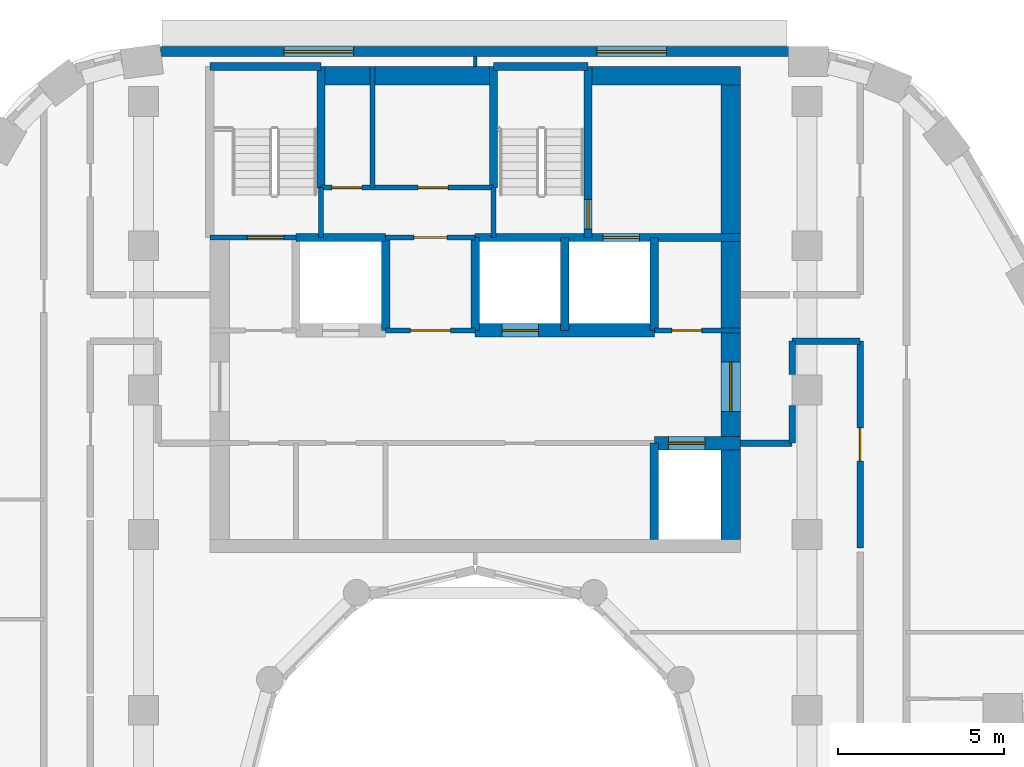
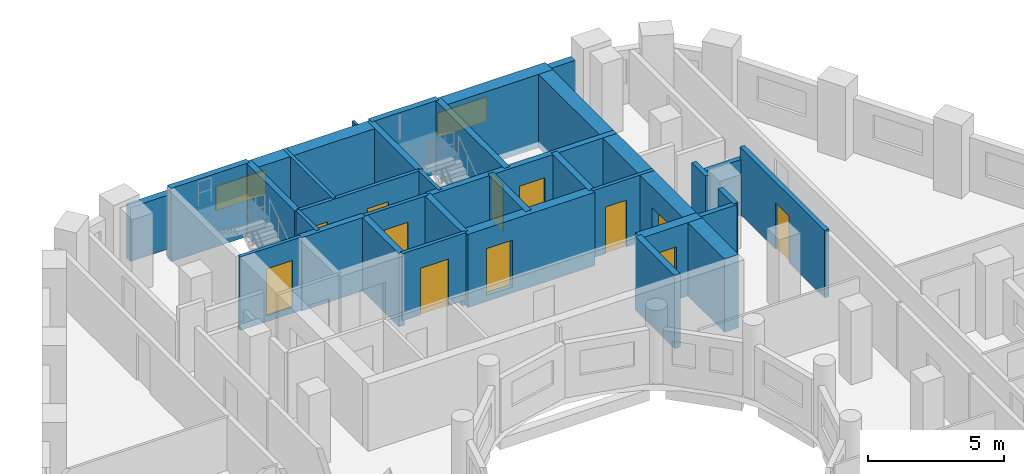
# One storey, part 8 of 15: 32 walls, 12 doors, 2 windows, 14 openings.
"""IFC4 building model written with IfcOpenShell, lengths in metres."""

from ifc_helpers import new_model, si_unit, direction, frame, frame_2d, origin, place, context, subcontext, project, spatial, rectangle, extrude, material, layer, layer_set, type_object, element, fill, save


model = new_model("IFC4")

# Units and contexts
model_context = context("Model", 3, precision=1e-05, world=origin(), true_north=direction((0.0, 1.0)))
body_context = subcontext(model_context, "Body", "Model", "MODEL_VIEW")
ifc_project = project(units=[si_unit("LENGTHUNIT", "METRE"), si_unit("AREAUNIT", "SQUARE_METRE"), si_unit("VOLUMEUNIT", "CUBIC_METRE"), si_unit("PLANEANGLEUNIT", "RADIAN"), si_unit("MASSUNIT", "GRAM", prefix="KILO")], contexts=[model_context])

# Site, building, storey
site_placement = place(None, origin())
site = spatial("IfcSite", under=ifc_project, at=site_placement, CompositionType="ELEMENT")
building_placement = place(site_placement, origin())
building = spatial("IfcBuilding", under=site, at=building_placement, Name="Nakaniwa Court", CompositionType="ELEMENT")
storey_placement = place(building_placement, frame((0.0, 0.0, 183.300048828125)))
storey = spatial("IfcBuildingStorey", under=building, at=storey_placement, Name="L47", CompositionType="ELEMENT", Elevation=183.300048828125)

# Wall, opening, door
ifc_material_1 = material(Name="Acoustic double stud partition")
ifc_layer_1 = layer(ifc_material_1, 0.199951171875)
ifc_layer_set_1 = layer_set([ifc_layer_1], Name="Acoustic double stud partition")
wall_type_1 = type_object("IfcWallType", Name="Acoustic double stud partition 200", PredefinedType="PARTITIONING", material=ifc_layer_set_1)
wall_1_placement = place(storey_placement, frame((91.60009765625, 87.537109375, 0.0), z_axis=(0.0, 0.0, 1.0), x_axis=(0.0, 1.0, 0.0)))
wall_1 = element("IfcWall", 1, at=wall_1_placement, inside=storey, type_object=wall_type_1, Name="Partition PW-072", PredefinedType="PARTITIONING", context=body_context, shape_type="SweptSolid", body=[
    extrude(rectangle(XDim=6.23779296875, YDim=0.199951171875, at=frame_2d((3.118896484375, 0.0))), origin(), (0.0, 0.0, 1.0), 3.02490234375),
])
opening_1_placement = place(wall_1_placement, frame((2.6201171875, 0.0, 0.0)))
opening_1 = element("IfcOpeningElement", 2, at=opening_1_placement, cuts=wall_1, Name="Opening D-02-08", PredefinedType="OPENING", context=body_context, shape_type="SweptSolid", body=[
    extrude(rectangle(XDim=1.0, YDim=2.10009765625, at=frame_2d((0.5, 1.050048828125))), frame((0.0, 0.10986328125, 0.0), z_axis=(0.0, -1.0, 0.0), x_axis=(1.0, 0.0, 0.0)), (0.0, 0.0, 1.0), 0.219970703125),
])
ifc_material_2 = material(Name="Solid core timber door set, black veneer", Category="wood")
door_type_1 = type_object("IfcDoorType", Name="Internal door 1000", OperationType="NOTDEFINED", PredefinedType="DOOR", material=ifc_material_2)
door_1_placement = place(opening_1_placement, origin())
door_1 = element("IfcDoor", 3, at=door_1_placement, inside=storey, type_object=door_type_1, Name="Door D-02-08 L47-048", OperationType="SINGLE_SWING_LEFT", OverallHeight=2.10009765625, OverallWidth=1.0, PredefinedType="DOOR", context=body_context, shape_type="SweptSolid", body=[
    extrude(rectangle(XDim=1.0, YDim=2.10009765625, at=frame_2d((0.5, 1.050048828125))), frame((0.0, 0.02490234375, 0.0), z_axis=(0.0, -1.0, 0.0), x_axis=(1.0, 0.0, 0.0)), (0.0, 0.0, 1.0), 0.050048828125),
])
fill(opening_1, door_1)

# Walls
wall_2_placement = place(storey_placement, frame((89.550048828125, 90.699951171875, 0.0), z_axis=(0.0, 0.0, 1.0), x_axis=(0.0, 1.0, 0.0)))
element("IfcWall", 4, at=wall_2_placement, inside=storey, type_object=wall_type_1, Name="Partition PW-083", PredefinedType="PARTITIONING", context=body_context, shape_type="SweptSolid", body=[
    extrude(rectangle(XDim=1.1328125, YDim=0.199951171875, at=frame_2d((0.56640625, 0.0))), origin(), (0.0, 0.0, 1.0), 3.02490234375),
])
wall_3_placement = place(storey_placement, frame((89.550048828125, 92.76708984375, 0.0), z_axis=(0.0, 0.0, 1.0), x_axis=(0.0, 1.0, 0.0)))
element("IfcWall", 5, at=wall_3_placement, inside=storey, type_object=wall_type_1, Name="Partition PW-084", PredefinedType="PARTITIONING", context=body_context, shape_type="SweptSolid", body=[
    extrude(rectangle(XDim=1.0078125, YDim=0.199951171875, at=frame_2d((0.50390625, 0.0))), origin(), (0.0, 0.0, 1.0), 3.02490234375),
])
wall_4_placement = place(storey_placement, frame((89.550048828125, 93.77490234375, 0.0), z_axis=(0.0, 0.0, 1.0), x_axis=(1.0, 0.0, 0.0)))
element("IfcWall", 6, at=wall_4_placement, inside=storey, type_object=wall_type_1, Name="Partition PW-088", PredefinedType="PARTITIONING", context=body_context, shape_type="SweptSolid", body=[
    extrude(rectangle(XDim=2.050048828125, YDim=0.199951171875, at=frame_2d((1.02490234375, 0.0))), origin(), (0.0, 0.0, 1.0), 2.5048828125),
])
wall_5_placement = place(storey_placement, frame((88.0, 90.699951171875, 0.0), z_axis=(0.0, 0.0, 1.0), x_axis=(1.0, 0.0, 0.0)))
element("IfcWall", 7, at=wall_5_placement, inside=storey, type_object=wall_type_1, Name="Partition PW-090", PredefinedType="PARTITIONING", context=body_context, shape_type="SweptSolid", body=[
    extrude(rectangle(XDim=1.550048828125, YDim=0.199951171875, at=frame_2d((0.77490234375, 0.0))), origin(), (0.0, 0.0, 1.0), 3.02490234375),
])

# Wall, openings, windows
ifc_material_3 = material(Name="Charcoal ceramic cladding")
ifc_layer_2 = layer(ifc_material_3, 0.02, Name="Ceramic cladding")
ifc_material_4 = material(Name="Ventilated air cavity")
ifc_layer_3 = layer(ifc_material_4, 0.04, ventilated=True, Name="Ventilated cavity")
ifc_material_5 = material(Name="Mineral wool insulation")
ifc_layer_4 = layer(ifc_material_5, 0.1, Name="Insulation")
ifc_material_6 = material(Name="Cement bonded sheathing board")
ifc_layer_5 = layer(ifc_material_6, 0.012, Name="Sheathing")
ifc_material_7 = material(Name="Cold-formed galvanised stud frame with mineral wool infill")
ifc_layer_6 = layer(ifc_material_7, 0.1, Name="Stud frame")
ifc_material_8 = material(Name="Fire-rated gypsum plasterboard lining")
ifc_layer_7 = layer(ifc_material_8, 0.028, Name="Lining")
ifc_layer_set_2 = layer_set([ifc_layer_2, ifc_layer_3, ifc_layer_4, ifc_layer_5, ifc_layer_6, ifc_layer_7], Name="Charcoal ceramic faced external wall system")
wall_type_2 = type_object("IfcWallType", Name="Black ceramic faced external wall 300", PredefinedType="SOLIDWALL", material=ifc_layer_set_2)
wall_6_placement = place(storey_placement, frame((89.44921875, 102.5, 0.0), z_axis=(0.0, 0.0, 1.0), x_axis=(-1.0, 0.0, 0.0)))
wall_6 = element("IfcWall", 8, at=wall_6_placement, inside=storey, type_object=wall_type_2, Name="L47 external wall 08", PredefinedType="SOLIDWALL", context=body_context, shape_type="SweptSolid", body=[
    extrude(rectangle(XDim=18.932861328125, YDim=0.300048828125, at=frame_2d((9.46630859375, 0.0))), origin(), (0.0, 0.0, 1.0), 2.425048828125),
])
opening_2_placement = place(wall_6_placement, frame((3.6865234375, 0.0, 0.89990234375)))
opening_2 = element("IfcOpeningElement", 9, at=opening_2_placement, cuts=wall_6, Name="Opening W7.08", PredefinedType="OPENING", context=body_context, shape_type="SweptSolid", body=[
    extrude(rectangle(XDim=2.10009765625, YDim=1.10009765625, at=frame_2d((1.050048828125, 0.550048828125))), frame((0.0, 0.159912109375, 0.0), z_axis=(0.0, -1.0, 0.0), x_axis=(1.0, 0.0, 0.0)), (0.0, 0.0, 1.0), 0.320068359375),
])
opening_3_placement = place(wall_6_placement, frame((13.117919921875, 0.0, 0.89990234375)))
opening_3 = element("IfcOpeningElement", 10, at=opening_3_placement, cuts=wall_6, Name="Opening W7.09", PredefinedType="OPENING", context=body_context, shape_type="SweptSolid", body=[
    extrude(rectangle(XDim=2.10009765625, YDim=1.10009765625, at=frame_2d((1.050048828125, 0.550048828125))), frame((0.0, 0.159912109375, 0.0), z_axis=(0.0, -1.0, 0.0), x_axis=(1.0, 0.0, 0.0)), (0.0, 0.0, 1.0), 0.320068359375),
])
ifc_material_9 = material(Name="Black anodised aluminium frame with dark low-E laminated double glazing", Category="aluminium")
window_type = type_object("IfcWindowType", Name="Dark glass window 2100x1100 sill 900", PartitioningType="SINGLE_PANEL", PredefinedType="WINDOW", material=ifc_material_9)
window_1_placement = place(opening_2_placement, origin())
window_1 = element("IfcWindow", 11, at=window_1_placement, inside=storey, type_object=window_type, Name="L47 habitable room window 08-0", OverallHeight=1.10009765625, OverallWidth=2.10009765625, PartitioningType="SINGLE_PANEL", PredefinedType="WINDOW", context=body_context, shape_type="SweptSolid", body=[
    extrude(rectangle(XDim=2.10009765625, YDim=1.10009765625, at=frame_2d((1.050048828125, 0.550048828125))), frame((0.0, 0.030029296875, 0.0), z_axis=(0.0, -1.0, 0.0), x_axis=(1.0, 0.0, 0.0)), (0.0, 0.0, 1.0), 0.06005859375),
])
fill(opening_2, window_1)
window_2_placement = place(opening_3_placement, origin())
window_2 = element("IfcWindow", 12, at=window_2_placement, inside=storey, type_object=window_type, Name="L47 habitable room window 08-1", OverallHeight=1.10009765625, OverallWidth=2.10009765625, PartitioningType="SINGLE_PANEL", PredefinedType="WINDOW", context=body_context, shape_type="SweptSolid", body=[
    extrude(rectangle(XDim=2.10009765625, YDim=1.10009765625, at=frame_2d((1.050048828125, 0.550048828125))), frame((0.0, 0.030029296875, 0.0), z_axis=(0.0, -1.0, 0.0), x_axis=(1.0, 0.0, 0.0)), (0.0, 0.0, 1.0), 0.06005859375),
])
fill(opening_3, window_2)

# Wall, opening, door
ifc_material_10 = material(Name="Blockwork partition", Category="masonry")
ifc_layer_8 = layer(ifc_material_10, 0.14990234375)
ifc_layer_set_3 = layer_set([ifc_layer_8], Name="Blockwork partition")
wall_type_3 = type_object("IfcWallType", Name="Blockwork partition 150", PredefinedType="PARTITIONING", material=ifc_layer_set_3)
wall_7_placement = place(storey_placement, frame((77.297119140625, 94.10009765625, 0.0), z_axis=(0.0, 0.0, 1.0), x_axis=(1.0, 0.0, 0.0)))
wall_7 = element("IfcWall", 13, at=wall_7_placement, inside=storey, type_object=wall_type_3, Name="Partition PW-010", PredefinedType="PARTITIONING", context=body_context, shape_type="SweptSolid", body=[
    extrude(rectangle(XDim=2.705810546875, YDim=0.14990234375, at=frame_2d((1.35302734375, 0.0))), origin(), (0.0, 0.0, 1.0), 3.02490234375),
])
opening_4_placement = place(wall_7_placement, frame((0.7529296875, 0.0, 0.0)))
opening_4 = element("IfcOpeningElement", 14, at=opening_4_placement, cuts=wall_7, Name="Opening D-06-01", PredefinedType="OPENING", context=body_context, shape_type="SweptSolid", body=[
    extrude(rectangle(XDim=1.199951171875, YDim=2.10009765625, at=frame_2d((0.60009765625, 1.050048828125))), frame((0.0, 0.0849609375, 0.0), z_axis=(0.0, -1.0, 0.0), x_axis=(1.0, 0.0, 0.0)), (0.0, 0.0, 1.0), 0.169921875),
])
ifc_material_11 = material(Name="Fire rated steel double door set", Category="steel")
door_type_2 = type_object("IfcDoorType", Name="Service passage double door 1200", OperationType="NOTDEFINED", PredefinedType="DOOR", material=ifc_material_11)
door_2_placement = place(opening_4_placement, origin())
door_2 = element("IfcDoor", 15, at=door_2_placement, inside=storey, type_object=door_type_2, Name="Door D-06-01 L47-005", OperationType="DOUBLE_DOOR_SINGLE_SWING", OverallHeight=2.10009765625, OverallWidth=1.199951171875, PredefinedType="DOOR", context=body_context, shape_type="SweptSolid", body=[
    extrude(rectangle(XDim=1.199951171875, YDim=2.10009765625, at=frame_2d((0.60009765625, 1.050048828125))), frame((0.0, 0.02490234375, 0.0), z_axis=(0.0, -1.0, 0.0), x_axis=(1.0, 0.0, 0.0)), (0.0, 0.0, 1.0), 0.050048828125),
])
fill(opening_4, door_2)

wall_8_placement = place(storey_placement, frame((85.39697265625, 94.10009765625, 0.0), z_axis=(0.0, 0.0, 1.0), x_axis=(1.0, 0.0, 0.0)))
wall_8 = element("IfcWall", 16, at=wall_8_placement, inside=storey, type_object=wall_type_3, Name="Partition PW-011", PredefinedType="PARTITIONING", context=body_context, shape_type="SweptSolid", body=[
    extrude(rectangle(XDim=2.60302734375, YDim=0.14990234375, at=frame_2d((1.301513671875, 0.0))), origin(), (0.0, 0.0, 1.0), 3.02490234375),
])
opening_5_placement = place(wall_8_placement, frame((0.528076171875, 0.0, 0.0)))
opening_5 = element("IfcOpeningElement", 17, at=opening_5_placement, cuts=wall_8, Name="Opening D-05-04", PredefinedType="OPENING", context=body_context, shape_type="SweptSolid", body=[
    extrude(rectangle(XDim=0.89990234375, YDim=2.10009765625, at=frame_2d((0.449951171875, 1.050048828125))), frame((0.0, 0.0849609375, 0.0), z_axis=(0.0, -1.0, 0.0), x_axis=(1.0, 0.0, 0.0)), (0.0, 0.0, 1.0), 0.169921875),
])
ifc_material_12 = material(Name="Fire rated steel door set", Category="steel")
door_type_3 = type_object("IfcDoorType", Name="Service room door 900", OperationType="NOTDEFINED", PredefinedType="DOOR", material=ifc_material_12)
door_3_placement = place(opening_5_placement, origin())
door_3 = element("IfcDoor", 18, at=door_3_placement, inside=storey, type_object=door_type_3, Name="Door D-05-04 L47-006", OperationType="SINGLE_SWING_LEFT", OverallHeight=2.10009765625, OverallWidth=0.89990234375, PredefinedType="DOOR", context=body_context, shape_type="SweptSolid", body=[
    extrude(rectangle(XDim=0.89990234375, YDim=2.10009765625, at=frame_2d((0.449951171875, 1.050048828125))), frame((0.0, 0.02490234375, 0.0), z_axis=(0.0, -1.0, 0.0), x_axis=(1.0, 0.0, 0.0)), (0.0, 0.0, 1.0), 0.050048828125),
])
fill(opening_5, door_3)

wall_9_placement = place(storey_placement, frame((77.300048828125, 96.89990234375, 0.0), z_axis=(0.0, 0.0, 1.0), x_axis=(1.0, 0.0, 0.0)))
wall_9 = element("IfcWall", 19, at=wall_9_placement, inside=storey, type_object=wall_type_3, Name="Partition PW-020", PredefinedType="PARTITIONING", context=body_context, shape_type="SweptSolid", body=[
    extrude(rectangle(XDim=2.699951171875, YDim=0.14990234375, at=frame_2d((1.35009765625, 0.0))), origin(), (0.0, 0.0, 1.0), 3.02490234375),
])
opening_6_placement = place(wall_9_placement, frame((0.85009765625, 0.0, 0.0)))
opening_6 = element("IfcOpeningElement", 20, at=opening_6_placement, cuts=wall_9, Name="Opening D-23-01", PredefinedType="OPENING", context=body_context, shape_type="SweptSolid", body=[
    extrude(rectangle(XDim=1.0, YDim=2.10009765625, at=frame_2d((0.5, 1.050048828125))), frame((0.0, 0.0849609375, 0.0), z_axis=(0.0, -1.0, 0.0), x_axis=(1.0, 0.0, 0.0)), (0.0, 0.0, 1.0), 0.169921875),
])
door_type_4 = type_object("IfcDoorType", Name="Service room door 1000", OperationType="NOTDEFINED", PredefinedType="DOOR", material=ifc_material_12)
door_4_placement = place(opening_6_placement, origin())
door_4 = element("IfcDoor", 21, at=door_4_placement, inside=storey, type_object=door_type_4, Name="Door D-23-01 L47-007", OperationType="SINGLE_SWING_RIGHT", OverallHeight=2.10009765625, OverallWidth=1.0, PredefinedType="DOOR", context=body_context, shape_type="SweptSolid", body=[
    extrude(rectangle(XDim=1.0, YDim=2.10009765625, at=frame_2d((0.5, 1.050048828125))), frame((0.0, 0.02490234375, 0.0), z_axis=(0.0, -1.0, 0.0), x_axis=(1.0, 0.0, 0.0)), (0.0, 0.0, 1.0), 0.050048828125),
])
fill(opening_6, door_4)

# Wall, openings, doors
wall_10_placement = place(storey_placement, frame((75.35009765625, 98.39990234375, 0.0), z_axis=(0.0, 0.0, 1.0), x_axis=(1.0, 0.0, 0.0)))
wall_10 = element("IfcWall", 22, at=wall_10_placement, inside=storey, type_object=wall_type_3, Name="Partition PW-032", PredefinedType="PARTITIONING", context=body_context, shape_type="SweptSolid", body=[
    extrude(rectangle(XDim=5.199951171875, YDim=0.14990234375, at=frame_2d((2.60009765625, 0.0))), origin(), (0.0, 0.0, 1.0), 3.02490234375),
])
opening_7_placement = place(wall_10_placement, frame((0.330078125, 0.0, 0.0)))
opening_7 = element("IfcOpeningElement", 23, at=opening_7_placement, cuts=wall_10, Name="Opening D-05-05", PredefinedType="OPENING", context=body_context, shape_type="SweptSolid", body=[
    extrude(rectangle(XDim=0.89990234375, YDim=2.10009765625, at=frame_2d((0.449951171875, 1.050048828125))), frame((0.0, 0.0849609375, 0.0), z_axis=(0.0, -1.0, 0.0), x_axis=(1.0, 0.0, 0.0)), (0.0, 0.0, 1.0), 0.169921875),
])
opening_8_placement = place(wall_10_placement, frame((2.929931640625, 0.0, 0.0)))
opening_8 = element("IfcOpeningElement", 24, at=opening_8_placement, cuts=wall_10, Name="Opening D-05-06", PredefinedType="OPENING", context=body_context, shape_type="SweptSolid", body=[
    extrude(rectangle(XDim=0.89990234375, YDim=2.10009765625, at=frame_2d((0.449951171875, 1.050048828125))), frame((0.0, 0.0849609375, 0.0), z_axis=(0.0, -1.0, 0.0), x_axis=(1.0, 0.0, 0.0)), (0.0, 0.0, 1.0), 0.169921875),
])
door_5_placement = place(opening_7_placement, origin())
door_5 = element("IfcDoor", 25, at=door_5_placement, inside=storey, type_object=door_type_3, Name="Door D-05-05 L47-008", OperationType="SINGLE_SWING_LEFT", OverallHeight=2.10009765625, OverallWidth=0.89990234375, PredefinedType="DOOR", context=body_context, shape_type="SweptSolid", body=[
    extrude(rectangle(XDim=0.89990234375, YDim=2.10009765625, at=frame_2d((0.449951171875, 1.050048828125))), frame((0.0, 0.02490234375, 0.0), z_axis=(0.0, -1.0, 0.0), x_axis=(1.0, 0.0, 0.0)), (0.0, 0.0, 1.0), 0.050048828125),
])
fill(opening_7, door_5)
door_6_placement = place(opening_8_placement, origin())
door_6 = element("IfcDoor", 26, at=door_6_placement, inside=storey, type_object=door_type_3, Name="Door D-05-06 L47-009", OperationType="SINGLE_SWING_RIGHT", OverallHeight=2.10009765625, OverallWidth=0.89990234375, PredefinedType="DOOR", context=body_context, shape_type="SweptSolid", body=[
    extrude(rectangle(XDim=0.89990234375, YDim=2.10009765625, at=frame_2d((0.449951171875, 1.050048828125))), frame((0.0, 0.02490234375, 0.0), z_axis=(0.0, -1.0, 0.0), x_axis=(1.0, 0.0, 0.0)), (0.0, 0.0, 1.0), 0.050048828125),
])
fill(opening_8, door_6)

# Wall
wall_11_placement = place(storey_placement, frame((76.909912109375, 98.39990234375, 0.0), z_axis=(0.0, 0.0, 1.0), x_axis=(0.0, 1.0, 0.0)))
element("IfcWall", 27, at=wall_11_placement, inside=storey, type_object=wall_type_3, Name="Partition PW-033", PredefinedType="PARTITIONING", context=body_context, shape_type="SweptSolid", body=[
    extrude(rectangle(XDim=3.650146484375, YDim=0.14990234375, at=frame_2d((1.8251953125, 0.0))), origin(), (0.0, 0.0, 1.0), 3.02490234375),
])

# Wall, opening, door
ifc_material_13 = material(Name="Concrete C80/100", Category="concrete")
ifc_layer_9 = layer(ifc_material_13, 0.60009765625)
ifc_layer_set_4 = layer_set([ifc_layer_9], Name="Concrete C80/100")
wall_type_4 = type_object("IfcWallType", Name="Concrete core side wall 600 C80", PredefinedType="SHEAR", material=ifc_layer_set_4)
wall_12_placement = place(storey_placement, frame((87.699951171875, 102.050048828125, -0.275146484375), z_axis=(0.0, 0.0, 1.0), x_axis=(0.0, -1.0, 0.0)))
wall_12 = element("IfcWall", 28, at=wall_12_placement, inside=storey, type_object=wall_type_4, Name="Core wall SW-07", PredefinedType="SHEAR", context=body_context, shape_type="SweptSolid", body=[
    extrude(rectangle(XDim=14.25, YDim=0.60009765625, at=frame_2d((7.125, 0.0))), origin(), (0.0, 0.0, 1.0), 3.300048828125),
])
opening_9_placement = place(wall_12_placement, frame((8.89794921875, 0.0, 0.27490234375)))
opening_9 = element("IfcOpeningElement", 29, at=opening_9_placement, cuts=wall_12, Name="Opening D-07-01", PredefinedType="OPENING", context=body_context, shape_type="SweptSolid", body=[
    extrude(rectangle(XDim=1.5, YDim=2.10009765625, at=frame_2d((0.75, 1.050048828125))), frame((0.0, 0.31005859375, 0.0), z_axis=(0.0, -1.0, 0.0), x_axis=(1.0, 0.0, 0.0)), (0.0, 0.0, 1.0), 0.6201171875),
])
ifc_material_14 = material(Name="Glazed fire rated steel double door set", Category="steel")
door_type_5 = type_object("IfcDoorType", Name="Lobby double door 1500", OperationType="NOTDEFINED", PredefinedType="DOOR", material=ifc_material_14)
door_7_placement = place(opening_9_placement, origin())
door_7 = element("IfcDoor", 30, at=door_7_placement, inside=storey, type_object=door_type_5, Name="Door D-07-01 L47-052", OperationType="DOUBLE_DOOR_SINGLE_SWING", OverallHeight=2.10009765625, OverallWidth=1.5, PredefinedType="DOOR", context=body_context, shape_type="SweptSolid", body=[
    extrude(rectangle(XDim=1.5, YDim=2.10009765625, at=frame_2d((0.75, 1.050048828125))), frame((0.0, 0.02490234375, 0.0), z_axis=(0.0, -1.0, 0.0), x_axis=(1.0, 0.0, 0.0)), (0.0, 0.0, 1.0), 0.050048828125),
])
fill(opening_9, door_7)

ifc_layer_10 = layer(ifc_material_13, 0.39990234375)
ifc_layer_set_5 = layer_set([ifc_layer_10], Name="Concrete C80/100")
wall_type_5 = type_object("IfcWallType", Name="Concrete core spine wall 400 C80", PredefinedType="SHEAR", material=ifc_layer_set_5)
wall_13_placement = place(storey_placement, frame((85.39990234375, 90.699951171875, -0.275146484375), z_axis=(0.0, 0.0, 1.0), x_axis=(1.0, 0.0, 0.0)))
wall_13 = element("IfcWall", 31, at=wall_13_placement, inside=storey, type_object=wall_type_5, Name="Core wall SW-06", PredefinedType="SHEAR", context=body_context, shape_type="SweptSolid", body=[
    extrude(rectangle(XDim=2.60009765625, YDim=0.39990234375, at=frame_2d((1.300048828125, 0.0))), origin(), (0.0, 0.0, 1.0), 3.300048828125),
])
opening_10_placement = place(wall_13_placement, frame((0.425048828125, 0.0, 0.27490234375)))
opening_10 = element("IfcOpeningElement", 32, at=opening_10_placement, cuts=wall_13, Name="Opening LD01", PredefinedType="OPENING", context=body_context, shape_type="SweptSolid", body=[
    extrude(rectangle(XDim=1.10009765625, YDim=2.10009765625, at=frame_2d((0.550048828125, 1.050048828125))), frame((0.0, 0.2099609375, 0.0), z_axis=(0.0, -1.0, 0.0), x_axis=(1.0, 0.0, 0.0)), (0.0, 0.0, 1.0), 0.419921875),
])
ifc_material_15 = material(Name="Stainless steel sliding lift landing door", Category="steel")
door_type_6 = type_object("IfcDoorType", Name="Lift landing door 1100", OperationType="NOTDEFINED", PredefinedType="DOOR", material=ifc_material_15)
door_8_placement = place(opening_10_placement, origin())
door_8 = element("IfcDoor", 33, at=door_8_placement, inside=storey, type_object=door_type_6, Name="Lift landing door LD01 L47-001", OperationType="SLIDING_TO_LEFT", OverallHeight=2.10009765625, OverallWidth=1.10009765625, PredefinedType="DOOR", context=body_context, shape_type="SweptSolid", body=[
    extrude(rectangle(XDim=1.10009765625, YDim=2.10009765625, at=frame_2d((0.550048828125, 1.050048828125))), frame((0.0, 0.02490234375, 0.0), z_axis=(0.0, -1.0, 0.0), x_axis=(1.0, 0.0, 0.0)), (0.0, 0.0, 1.0), 0.050048828125),
])
fill(opening_10, door_8)

wall_14_placement = place(storey_placement, frame((79.9970703125, 94.10009765625, -0.275146484375), z_axis=(0.0, 0.0, 1.0), x_axis=(1.0, 0.0, 0.0)))
wall_14 = element("IfcWall", 34, at=wall_14_placement, inside=storey, type_object=wall_type_5, Name="Core wall SW-13", PredefinedType="SHEAR", context=body_context, shape_type="SweptSolid", body=[
    extrude(rectangle(XDim=5.406005859375, YDim=0.39990234375, at=frame_2d((2.703125, 0.0))), origin(), (0.0, 0.0, 1.0), 3.300048828125),
])
opening_11_placement = place(wall_14_placement, frame((0.802978515625, 0.0, 0.27490234375)))
opening_11 = element("IfcOpeningElement", 35, at=opening_11_placement, cuts=wall_14, Name="Opening LD03", PredefinedType="OPENING", context=body_context, shape_type="SweptSolid", body=[
    extrude(rectangle(XDim=1.10009765625, YDim=2.10009765625, at=frame_2d((0.550048828125, 1.050048828125))), frame((0.0, 0.2099609375, 0.0), z_axis=(0.0, -1.0, 0.0), x_axis=(1.0, 0.0, 0.0)), (0.0, 0.0, 1.0), 0.419921875),
])
door_9_placement = place(opening_11_placement, origin())
door_9 = element("IfcDoor", 36, at=door_9_placement, inside=storey, type_object=door_type_6, Name="Lift landing door LD03 L47-003", OperationType="SLIDING_TO_LEFT", OverallHeight=2.10009765625, OverallWidth=1.10009765625, PredefinedType="DOOR", context=body_context, shape_type="SweptSolid", body=[
    extrude(rectangle(XDim=1.10009765625, YDim=2.10009765625, at=frame_2d((0.550048828125, 1.050048828125))), frame((0.0, 0.02490234375, 0.0), z_axis=(0.0, -1.0, 0.0), x_axis=(1.0, 0.0, 0.0)), (0.0, 0.0, 1.0), 0.050048828125),
])
fill(opening_11, door_9)

ifc_layer_11 = layer(ifc_material_13, 0.14990234375)
ifc_layer_set_6 = layer_set([ifc_layer_11], Name="Concrete C80/100")
wall_type_6 = type_object("IfcWallType", Name="Concrete core wall 150 C80", PredefinedType="SHEAR", material=ifc_layer_set_6)
wall_15_placement = place(storey_placement, frame((74.60009765625, 96.89990234375, -0.275146484375), z_axis=(0.0, 0.0, 1.0), x_axis=(-1.0, 0.0, 0.0)))
wall_15 = element("IfcWall", 37, at=wall_15_placement, inside=storey, type_object=wall_type_6, Name="Core wall SW-15", PredefinedType="SHEAR", context=body_context, shape_type="SweptSolid", body=[
    extrude(rectangle(XDim=2.60009765625, YDim=0.14990234375, at=frame_2d((1.300048828125, 0.0))), origin(), (0.0, 0.0, 1.0), 3.300048828125),
])
opening_12_placement = place(wall_15_placement, frame((0.3701171875, 0.0, 0.27490234375)))
opening_12 = element("IfcOpeningElement", 38, at=opening_12_placement, cuts=wall_15, Name="Opening D-09-01", PredefinedType="OPENING", context=body_context, shape_type="SweptSolid", body=[
    extrude(rectangle(XDim=1.10009765625, YDim=2.10009765625, at=frame_2d((0.550048828125, 1.050048828125))), frame((0.0, 0.0849609375, 0.0), z_axis=(0.0, -1.0, 0.0), x_axis=(1.0, 0.0, 0.0)), (0.0, 0.0, 1.0), 0.169921875),
])
door_type_7 = type_object("IfcDoorType", Name="Stair door 1100", OperationType="NOTDEFINED", PredefinedType="DOOR", material=ifc_material_12)
door_10_placement = place(opening_12_placement, origin())
door_10 = element("IfcDoor", 39, at=door_10_placement, inside=storey, type_object=door_type_7, Name="Door D-09-01 L47-010", OperationType="SINGLE_SWING_RIGHT", OverallHeight=2.10009765625, OverallWidth=1.10009765625, PredefinedType="DOOR", context=body_context, shape_type="SweptSolid", body=[
    extrude(rectangle(XDim=1.10009765625, YDim=2.10009765625, at=frame_2d((0.550048828125, 1.050048828125))), frame((0.0, 0.02490234375, 0.0), z_axis=(0.0, -1.0, 0.0), x_axis=(1.0, 0.0, 0.0)), (0.0, 0.0, 1.0), 0.050048828125),
])
fill(opening_12, door_10)

# Walls
for number, where, z_axis, x_axis, name in (
    (40, (75.35009765625, 96.89990234375, -0.275146484375), (0.0, 0.0, 1.0), (0.0, 1.0, 0.0), "Core wall SW-22"),
    (41, (80.550048828125, 96.89990234375, -0.275146484375), (0.0, 0.0, 1.0), (0.0, 1.0, 0.0), "Core wall SW-28"),
):
    element("IfcWall", number, at=place(storey_placement, frame(where, z_axis=z_axis, x_axis=x_axis)), inside=storey, type_object=wall_type_6, Name=name, PredefinedType="SHEAR", context=body_context, shape_type="SweptSolid", body=[
        extrude(rectangle(XDim=1.503173828125, YDim=0.14990234375, at=frame_2d((0.75146484375, 0.0))), origin(), (0.0, 0.0, 1.0), 3.300048828125),
    ])
ifc_layer_12 = layer(ifc_material_13, 0.25)
ifc_layer_set_7 = layer_set([ifc_layer_12], Name="Concrete C80/100")
wall_type_7 = type_object("IfcWallType", Name="Concrete core wall 250 C80", PredefinedType="SHEAR", material=ifc_layer_set_7)
wall_16_placement = place(storey_placement, frame((72.0, 102.050048828125, -0.275146484375), z_axis=(0.0, 0.0, 1.0), x_axis=(1.0, 0.0, 0.0)))
element("IfcWall", 42, at=wall_16_placement, inside=storey, type_object=wall_type_7, Name="Core wall SW-24", PredefinedType="SHEAR", context=body_context, shape_type="SweptSolid", body=[
    extrude(rectangle(XDim=3.35009765625, YDim=0.25, at=frame_2d((1.675048828125, 0.0))), origin(), (0.0, 0.0, 1.0), 3.300048828125),
])
wall_17_placement = place(storey_placement, frame((80.550048828125, 102.050048828125, -0.275146484375), z_axis=(0.0, 0.0, 1.0), x_axis=(1.0, 0.0, 0.0)))
element("IfcWall", 43, at=wall_17_placement, inside=storey, type_object=wall_type_7, Name="Core wall SW-25", PredefinedType="SHEAR", context=body_context, shape_type="SweptSolid", body=[
    extrude(rectangle(XDim=2.849853515625, YDim=0.25, at=frame_2d((1.4248046875, 0.0))), origin(), (0.0, 0.0, 1.0), 3.300048828125),
])
ifc_layer_13 = layer(ifc_material_13, 0.550048828125)
ifc_layer_set_8 = layer_set([ifc_layer_13], Name="Concrete C80/100")
wall_type_8 = type_object("IfcWallType", Name="Concrete core wall 550 C80", PredefinedType="SHEAR", material=ifc_layer_set_8)
wall_18_placement = place(storey_placement, frame((75.35009765625, 101.77490234375, -0.275146484375), z_axis=(0.0, 0.0, 1.0), x_axis=(1.0, 0.0, 0.0)))
element("IfcWall", 44, at=wall_18_placement, inside=storey, type_object=wall_type_8, Name="Core wall SW-30", PredefinedType="SHEAR", context=body_context, shape_type="SweptSolid", body=[
    extrude(rectangle(XDim=5.199951171875, YDim=0.550048828125, at=frame_2d((2.60009765625, 0.0))), origin(), (0.0, 0.0, 1.0), 3.300048828125),
])
wall_19_placement = place(storey_placement, frame((83.39990234375, 101.77490234375, -0.275146484375), z_axis=(0.0, 0.0, 1.0), x_axis=(1.0, 0.0, 0.0)))
element("IfcWall", 45, at=wall_19_placement, inside=storey, type_object=wall_type_8, Name="Core wall SW-31", PredefinedType="SHEAR", context=body_context, shape_type="SweptSolid", body=[
    extrude(rectangle(XDim=4.60009765625, YDim=0.550048828125, at=frame_2d((2.300048828125, 0.0))), origin(), (0.0, 0.0, 1.0), 3.300048828125),
])
ifc_layer_14 = layer(ifc_material_13, 0.25)
ifc_layer_set_9 = layer_set([ifc_layer_14], Name="Concrete C80/100")
wall_type_9 = type_object("IfcWallType", Name="Concrete shaft wall 250 C80", PredefinedType="SHEAR", material=ifc_layer_set_9)
wall_20_placement = place(storey_placement, frame((85.39990234375, 87.800048828125, -0.275146484375), z_axis=(0.0, 0.0, 1.0), x_axis=(0.0, 1.0, 0.0)))
element("IfcWall", 46, at=wall_20_placement, inside=storey, type_object=wall_type_9, Name="Core wall SW-04", PredefinedType="SHEAR", context=body_context, shape_type="SweptSolid", body=[
    extrude(rectangle(XDim=2.89990234375, YDim=0.25, at=frame_2d((1.449951171875, 0.0))), origin(), (0.0, 0.0, 1.0), 3.300048828125),
])
for number, where, z_axis, x_axis, name in (
    (47, (85.39990234375, 94.10009765625, -0.275146484375), (0.0, 0.0, 1.0), (0.0, 1.0, 0.0), "Core wall SW-05"),
    (48, (77.300048828125, 94.10009765625, -0.275146484375), (0.0, 0.0, 1.0), (0.0, 1.0, 0.0), "Core wall SW-16"),
):
    element("IfcWall", number, at=place(storey_placement, frame(where, z_axis=z_axis, x_axis=x_axis)), inside=storey, type_object=wall_type_9, Name=name, PredefinedType="SHEAR", context=body_context, shape_type="SweptSolid", body=[
        extrude(rectangle(XDim=2.7998046875, YDim=0.25, at=frame_2d((1.39990234375, 0.0))), origin(), (0.0, 0.0, 1.0), 3.300048828125),
    ])
wall_21_placement = place(storey_placement, frame((74.60009765625, 96.89990234375, -0.275146484375), z_axis=(0.0, 0.0, 1.0), x_axis=(1.0, 0.0, 0.0)))
element("IfcWall", 49, at=wall_21_placement, inside=storey, type_object=wall_type_9, Name="Core wall SW-17", PredefinedType="SHEAR", context=body_context, shape_type="SweptSolid", body=[
    extrude(rectangle(XDim=2.699951171875, YDim=0.25, at=frame_2d((1.35009765625, 0.0))), origin(), (0.0, 0.0, 1.0), 3.300048828125),
])

# Wall, opening, door
wall_22_placement = place(storey_placement, frame((80.0, 96.89990234375, -0.275146484375), z_axis=(0.0, 0.0, 1.0), x_axis=(1.0, 0.0, 0.0)))
wall_22 = element("IfcWall", 50, at=wall_22_placement, inside=storey, type_object=wall_type_9, Name="Core wall SW-18", PredefinedType="SHEAR", context=body_context, shape_type="SweptSolid", body=[
    extrude(rectangle(XDim=8.0, YDim=0.25, at=frame_2d((4.0, 0.0))), origin(), (0.0, 0.0, 1.0), 3.300048828125),
])
opening_13_placement = place(wall_22_placement, frame((3.84912109375, 0.0, 0.27490234375)))
opening_13 = element("IfcOpeningElement", 51, at=opening_13_placement, cuts=wall_22, Name="Opening LD04", PredefinedType="OPENING", context=body_context, shape_type="SweptSolid", body=[
    extrude(rectangle(XDim=1.10009765625, YDim=2.10009765625, at=frame_2d((0.550048828125, 1.050048828125))), frame((0.0, 0.135009765625, 0.0), z_axis=(0.0, -1.0, 0.0), x_axis=(1.0, 0.0, 0.0)), (0.0, 0.0, 1.0), 0.27001953125),
])
door_11_placement = place(opening_13_placement, origin())
door_11 = element("IfcDoor", 52, at=door_11_placement, inside=storey, type_object=door_type_6, Name="Lift landing door LD04 L47-004", OperationType="SLIDING_TO_LEFT", OverallHeight=2.10009765625, OverallWidth=1.10009765625, PredefinedType="DOOR", context=body_context, shape_type="SweptSolid", body=[
    extrude(rectangle(XDim=1.10009765625, YDim=2.10009765625, at=frame_2d((0.550048828125, 1.050048828125))), frame((0.0, 0.02490234375, 0.0), z_axis=(0.0, -1.0, 0.0), x_axis=(1.0, 0.0, 0.0)), (0.0, 0.0, 1.0), 0.050048828125),
])
fill(opening_13, door_11)

# Walls
for number, where, z_axis, x_axis, name in (
    (53, (80.0, 94.10009765625, -0.275146484375), (0.0, 0.0, 1.0), (0.0, 1.0, 0.0), "Core wall SW-19"),
    (54, (82.699951171875, 94.10009765625, -0.275146484375), (0.0, 0.0, 1.0), (0.0, 1.0, 0.0), "Core wall SW-21"),
):
    element("IfcWall", number, at=place(storey_placement, frame(where, z_axis=z_axis, x_axis=x_axis)), inside=storey, type_object=wall_type_9, Name=name, PredefinedType="SHEAR", context=body_context, shape_type="SweptSolid", body=[
        extrude(rectangle(XDim=2.7998046875, YDim=0.25, at=frame_2d((1.39990234375, 0.0))), origin(), (0.0, 0.0, 1.0), 3.300048828125),
    ])
wall_23_placement = place(storey_placement, frame((75.35009765625, 98.39697265625, -0.275146484375), z_axis=(0.0, 0.0, 1.0), x_axis=(0.0, 1.0, 0.0)))
element("IfcWall", 55, at=wall_23_placement, inside=storey, type_object=wall_type_9, Name="Core wall SW-23", PredefinedType="SHEAR", context=body_context, shape_type="SweptSolid", body=[
    extrude(rectangle(XDim=3.653076171875, YDim=0.25, at=frame_2d((1.82666015625, 0.0))), origin(), (0.0, 0.0, 1.0), 3.300048828125),
])

# Wall, opening, door
wall_24_placement = place(storey_placement, frame((83.39990234375, 102.050048828125, -0.275146484375), z_axis=(0.0, 0.0, 1.0), x_axis=(0.0, -1.0, 0.0)))
wall_24 = element("IfcWall", 56, at=wall_24_placement, inside=storey, type_object=wall_type_9, Name="Core wall SW-27", PredefinedType="SHEAR", context=body_context, shape_type="SweptSolid", body=[
    extrude(rectangle(XDim=5.150146484375, YDim=0.25, at=frame_2d((2.5751953125, 0.0))), origin(), (0.0, 0.0, 1.0), 3.300048828125),
])
opening_14_placement = place(wall_24_placement, frame((4.0, 0.0, 0.27490234375)))
opening_14 = element("IfcOpeningElement", 57, at=opening_14_placement, cuts=wall_24, Name="Opening D-11-01", PredefinedType="OPENING", context=body_context, shape_type="SweptSolid", body=[
    extrude(rectangle(XDim=0.89990234375, YDim=2.10009765625, at=frame_2d((0.449951171875, 1.050048828125))), frame((0.0, 0.135009765625, 0.0), z_axis=(0.0, -1.0, 0.0), x_axis=(1.0, 0.0, 0.0)), (0.0, 0.0, 1.0), 0.27001953125),
])
door_type_8 = type_object("IfcDoorType", Name="Stair door 900", OperationType="NOTDEFINED", PredefinedType="DOOR", material=ifc_material_12)
door_12_placement = place(opening_14_placement, origin())
door_12 = element("IfcDoor", 58, at=door_12_placement, inside=storey, type_object=door_type_8, Name="Door D-11-01 L47-011", OperationType="SINGLE_SWING_LEFT", OverallHeight=2.10009765625, OverallWidth=0.89990234375, PredefinedType="DOOR", context=body_context, shape_type="SweptSolid", body=[
    extrude(rectangle(XDim=0.89990234375, YDim=2.10009765625, at=frame_2d((0.449951171875, 1.050048828125))), frame((0.0, 0.02490234375, 0.0), z_axis=(0.0, -1.0, 0.0), x_axis=(1.0, 0.0, 0.0)), (0.0, 0.0, 1.0), 0.050048828125),
])
fill(opening_14, door_12)

# Walls
wall_25_placement = place(storey_placement, frame((80.550048828125, 98.39697265625, -0.275146484375), z_axis=(0.0, 0.0, 1.0), x_axis=(0.0, 1.0, 0.0)))
element("IfcWall", 59, at=wall_25_placement, inside=storey, type_object=wall_type_9, Name="Core wall SW-29", PredefinedType="SHEAR", context=body_context, shape_type="SweptSolid", body=[
    extrude(rectangle(XDim=3.653076171875, YDim=0.25, at=frame_2d((1.82666015625, 0.0))), origin(), (0.0, 0.0, 1.0), 3.300048828125),
])
ifc_material_16 = material(Name="Single stud plasterboard partition")
ifc_layer_15 = layer(ifc_material_16, 0.10009765625)
ifc_layer_set_10 = layer_set([ifc_layer_15], Name="Single stud plasterboard partition")
wall_type_10 = type_object("IfcWallType", Name="Single stud plasterboard partition 100", PredefinedType="PARTITIONING", material=ifc_layer_set_10)
wall_26_placement = place(storey_placement, frame((80.0, 102.050048828125, 0.0), z_axis=(0.0, 0.0, 1.0), x_axis=(0.0, 1.0, 0.0)))
element("IfcWall", 60, at=wall_26_placement, inside=storey, type_object=wall_type_10, Name="Partition PW-110", PredefinedType="PARTITIONING", context=body_context, shape_type="SweptSolid", body=[
    extrude(rectangle(XDim=0.300048828125, YDim=0.10009765625, at=frame_2d((0.14990234375, 0.0))), origin(), (0.0, 0.0, 1.0), 3.02490234375),
])

save(model, "model.ifc")
